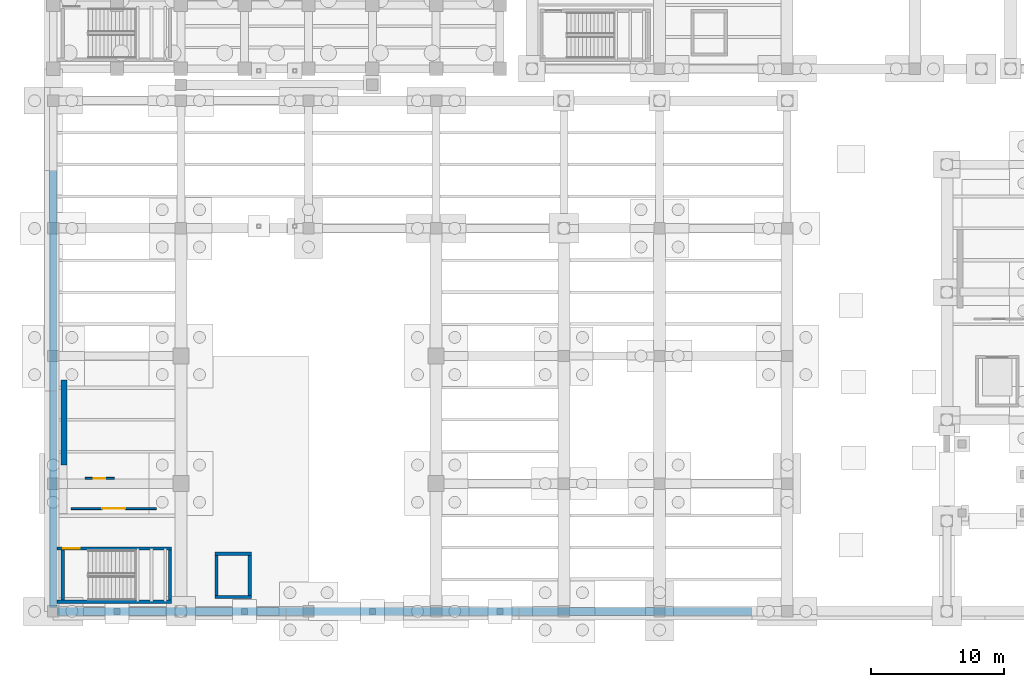
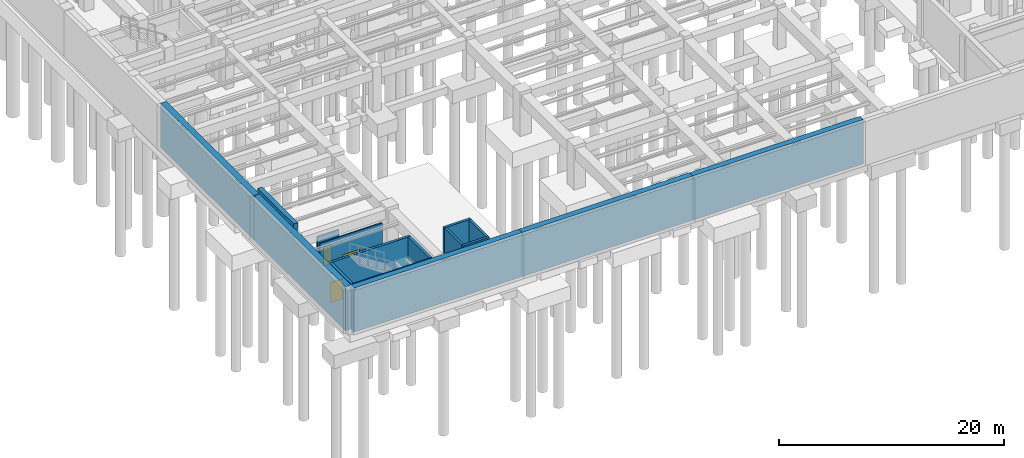
# One storey, part 33 of 56: 16 walls, 3 doors, 3 openings.
"""IFC4 building model written with IfcOpenShell, lengths in metres."""

import ifcopenshell
import ifcopenshell.guid

model = None  # the IFC model being written
_history = None  # IfcOwnerHistory: only IFC2X3 demands one
_inside = {}  # id of a spatial element -> (the spatial element, [elements in it])
_under = {}  # id of a project, library or spatial element -> (it, [spatial elements below it])
_declared = {}  # id of a project -> (the project, [libraries it declares])
_typed = {}  # id of a type object -> (the type object, [elements of that type])
_made_of = {}  # id of a material, layer set ... -> (it, [elements and type objects made of it])


def new_model(schema):
    """Start an empty IFC model of exactly this schema.

    Asked for "IFC4X3", IfcOpenShell would pick the latest addendum, in which some entities
    have other attributes; the version numbers below select the first issue.
    IFC2X3 requires an IfcOwnerHistory on every rooted entity: one is made here for all.
    """
    global model, _history
    if schema == "IFC4X3":
        model = ifcopenshell.file(schema_version=(4, 3, 0, 0))
    else:
        model = ifcopenshell.file(schema=schema)
    _inside.clear()
    _under.clear()
    _declared.clear()
    _typed.clear()
    _made_of.clear()
    _history = None
    if model.schema == "IFC2X3":
        org = make("IfcOrganization", Name="unknown")
        user = make(
            "IfcPersonAndOrganization",
            ThePerson=make("IfcPerson", FamilyName="unknown"),
            TheOrganization=org,
        )
        app = make(
            "IfcApplication",
            ApplicationDeveloper=org,
            Version="unknown",
            ApplicationFullName="unknown",
            ApplicationIdentifier="unknown",
        )
        _history = make(
            "IfcOwnerHistory",
            OwningUser=user,
            OwningApplication=app,
            ChangeAction="ADDED",
            CreationDate=0,
        )
    return model


def make(cls, **values):
    """One entity of the class cls with the attributes given. An attribute that is None is left unset."""
    return model.create_entity(
        cls, **{name: value for name, value in values.items() if value is not None}
    )


def rooted(cls, **values):
    """An entity with a GlobalId (a new one), such as an element, a storey or a relation."""
    return make(cls, GlobalId=ifcopenshell.guid.new(), OwnerHistory=_history, **values)


def si_unit(unit_type, name, prefix=None):
    """IfcSIUnit, for example si_unit("LENGTHUNIT", "METRE", prefix="MILLI")."""
    return make("IfcSIUnit", UnitType=unit_type, Prefix=prefix, Name=name)


def assignment(units):
    """IfcUnitAssignment: the units of a project."""
    return None if units is None else make("IfcUnitAssignment", Units=units)


def point(xyz):
    """IfcCartesianPoint."""
    return None if xyz is None else make("IfcCartesianPoint", Coordinates=xyz)


def direction(xyz):
    """IfcDirection."""
    return None if xyz is None else make("IfcDirection", DirectionRatios=xyz)


def frame(location, z_axis=None, x_axis=None):
    """IfcAxis2Placement3D, a coordinate frame: its origin and axes. An axis left out is left unset."""
    return make(
        "IfcAxis2Placement3D",
        Location=point(location),
        Axis=direction(z_axis),
        RefDirection=direction(x_axis),
    )


def frame_2d(location, x_axis=None):
    """IfcAxis2Placement2D, a coordinate frame in the plane: its origin and x axis."""
    return make(
        "IfcAxis2Placement2D", Location=point(location), RefDirection=direction(x_axis)
    )


def origin():
    """The frame at (0, 0, 0) with its axes left unset."""
    return frame((0.0, 0.0, 0.0))


def place(relative_to, where):
    """IfcLocalPlacement: puts the frame where relative to a parent placement (None: the world)."""
    return make(
        "IfcLocalPlacement", PlacementRelTo=relative_to, RelativePlacement=where
    )


def context(
    kind, dimensions, precision=None, world=None, true_north=None, identifier=None
):
    """IfcGeometricRepresentationContext, for example the 3D "Model" context."""
    return make(
        "IfcGeometricRepresentationContext",
        ContextIdentifier=identifier,
        ContextType=kind,
        CoordinateSpaceDimension=dimensions,
        Precision=precision,
        WorldCoordinateSystem=world,
        TrueNorth=true_north,
    )


def subcontext(parent, identifier, kind, view, scale=None):
    """IfcGeometricRepresentationSubContext, for example "Body" below "Model"."""
    return make(
        "IfcGeometricRepresentationSubContext",
        ContextIdentifier=identifier,
        ContextType=kind,
        ParentContext=parent,
        TargetScale=scale,
        TargetView=view,
    )


def project(units=None, contexts=None):
    """IfcProject with its units and contexts."""
    return rooted(
        "IfcProject",
        Name="project",
        RepresentationContexts=contexts,
        UnitsInContext=assignment(units),
    )


def spatial(cls, under=None, at=None, **own):
    """A site, building, storey or space (cls), placed at a placement, below another one or the project."""
    s = rooted(cls, ObjectPlacement=at, **own)
    if under is not None:
        _under.setdefault(under.id(), (under, []))[1].append(s)
    return s


def profile(cls, at=None, kind="AREA", **sizes):
    """A parametric profile (cls). Its sizes go by their IFC names, for example OverallWidth=200.0."""
    return make(cls, ProfileType=kind, Position=at, **sizes)


def rectangle(**sizes):
    """IfcRectangleProfileDef."""
    return profile("IfcRectangleProfileDef", **sizes)


def extrude(swept, where, along, depth):
    """IfcExtrudedAreaSolid: the profile swept, set in the frame where, extruded along a direction by depth."""
    return make(
        "IfcExtrudedAreaSolid",
        SweptArea=swept,
        Position=where,
        ExtrudedDirection=direction(along),
        Depth=depth,
    )


def shape(context_of_items, identifier, shape_type, items):
    """IfcShapeRepresentation: the items that make up one representation, for example the "Body"."""
    return make(
        "IfcShapeRepresentation",
        ContextOfItems=context_of_items,
        RepresentationIdentifier=identifier,
        RepresentationType=shape_type,
        Items=items,
    )


def material(Name=None, Category=None):
    """IfcMaterial."""
    return make("IfcMaterial", Name=Name, Category=Category)


def layer(
    of_material, thickness, ventilated=None, Name=None, Category=None, Priority=None
):
    """IfcMaterialLayer: one layer of a wall or slab, of a material (None: an air gap)."""
    return make(
        "IfcMaterialLayer",
        Material=of_material,
        LayerThickness=thickness,
        IsVentilated=ventilated,
        Name=Name,
        Category=Category,
        Priority=Priority,
    )


def layer_set(layers, Name=None):
    """IfcMaterialLayerSet."""
    return make("IfcMaterialLayerSet", MaterialLayers=layers, LayerSetName=Name)


def made_of(thing, what):
    """Note that an element or type object is made of a material, layer set ...; save() writes the relation."""
    if what is not None:
        _made_of.setdefault(what.id(), (what, []))[1].append(thing)
    return thing


def type_object(cls, material=None, **own):
    """A type object (cls), such as IfcWallType, which elements share."""
    return made_of(rooted(cls, **own), material)


def element(
    cls,
    number,
    at=None,
    inside=None,
    cuts=None,
    type_object=None,
    material=None,
    context=None,
    identifier="Body",
    shape_type=None,
    held_by="IfcProductDefinitionShape",
    body=None,
    shapes=None,
    **own,
):
    """One element of the class cls, such as IfcWall. Its Tag is "e" and its number.

    at: its placement. inside: the storey or other place that contains it. cuts: it is an
    opening in that element (IfcRelVoidsElement). A single representation is given by context,
    identifier, shape_type and body (its items); several are given by shapes. held_by: the class
    of the entity that holds the representations. save() writes the other relations.
    """
    e = rooted(cls, Tag="e%d" % number, ObjectPlacement=at, **own)
    if body is not None:
        shapes = [shape(context, identifier, shape_type, body)]
    if shapes is not None:
        e.Representation = make(held_by, Representations=shapes)
    if inside is not None:
        _inside.setdefault(inside.id(), (inside, []))[1].append(e)
    if cuts is not None:
        rooted(
            "IfcRelVoidsElement", RelatingBuildingElement=cuts, RelatedOpeningElement=e
        )
    if type_object is not None:
        _typed.setdefault(type_object.id(), (type_object, []))[1].append(e)
    return made_of(e, material)


def fill(opening, filler):
    """IfcRelFillsElement: the door or window that sits in an opening."""
    return rooted(
        "IfcRelFillsElement",
        RelatingOpeningElement=opening,
        RelatedBuildingElement=filler,
    )


def aggregate(whole, parts):
    """IfcRelAggregates: a whole, such as a stair, and the parts it consists of."""
    return rooted("IfcRelAggregates", RelatingObject=whole, RelatedObjects=parts)


def save(model, path):
    """Write the relations noted so far, then the file.

    IfcRelAggregates (storeys below a building ...), IfcRelContainedInSpatialStructure (elements
    in a storey), IfcRelDefinesByType, IfcRelAssociatesMaterial and IfcRelDeclares: one each for
    every whole, place, type object, material and project.
    """
    for whole, parts in _under.values():
        aggregate(whole, parts)
    for where, things in _inside.values():
        rooted(
            "IfcRelContainedInSpatialStructure",
            RelatedElements=things,
            RelatingStructure=where,
        )
    for kind, things in _typed.values():
        rooted("IfcRelDefinesByType", RelatedObjects=things, RelatingType=kind)
    for what, things in _made_of.values():
        rooted("IfcRelAssociatesMaterial", RelatedObjects=things, RelatingMaterial=what)
    for by, libraries in _declared.values():
        rooted("IfcRelDeclares", RelatingContext=by, RelatedDefinitions=libraries)
    model.write(path)


model = new_model("IFC4")

# Units and contexts
model_context = context("Model", 3, precision=1e-05, world=origin(), true_north=direction((0.0, 1.0)))
body_context = subcontext(model_context, "Body", "Model", "MODEL_VIEW")
ifc_project = project(units=[si_unit("LENGTHUNIT", "METRE"), si_unit("AREAUNIT", "SQUARE_METRE"), si_unit("VOLUMEUNIT", "CUBIC_METRE"), si_unit("PLANEANGLEUNIT", "RADIAN"), si_unit("MASSUNIT", "GRAM", prefix="KILO")], contexts=[model_context])

# Site, building, storey
site_placement = place(None, origin())
site = spatial("IfcSite", under=ifc_project, at=site_placement, CompositionType="ELEMENT")
building_placement = place(site_placement, origin())
building = spatial("IfcBuilding", under=site, at=building_placement, Name="Mavantir Sound Aquarium", CompositionType="ELEMENT")
storey_placement = place(building_placement, frame((0.0, 0.0, -9.60009765625)))
storey = spatial("IfcBuildingStorey", under=building, at=storey_placement, Name="B2", CompositionType="ELEMENT", Elevation=-9.60009765625)

# Wall, opening, door
ifc_material_1 = material(Name="Moisture-Resistant Marine Gypsum Partition", Category="gypsum")
ifc_layer_1 = layer(ifc_material_1, 0.139892578125, Name="Moisture-Resistant Marine Gypsum Partition")
ifc_layer_set_1 = layer_set([ifc_layer_1], Name="Moisture-Resistant Marine Gypsum Partition")
wall_type_1 = type_object("IfcWallType", Name="IW-PART-140", PredefinedType="PARTITIONING", material=ifc_layer_set_1)
wall_1_placement = place(storey_placement, frame((1.35009765625, 7.72509765625, 0.0), z_axis=(0.0, 0.0, 1.0), x_axis=(1.0, 0.0, 0.0)))
wall_1 = element("IfcWall", 1, at=wall_1_placement, inside=storey, type_object=wall_type_1, Name="B2 Education Centre Substructure Mechanical Vault entry partition", PredefinedType="PARTITIONING", context=body_context, shape_type="SweptSolid", body=[
    extrude(rectangle(XDim=6.39990234375, YDim=0.139892578125, at=frame_2d((3.199951171875, 0.0))), origin(), (0.0, 0.0, 1.0), 4.440185546875),
])
opening_1_placement = place(wall_1_placement, frame((2.340087890625, 0.0, 0.0)))
opening_1 = element("IfcOpeningElement", 2, at=opening_1_placement, cuts=wall_1, Name="Opening ID-16", PredefinedType="OPENING", context=body_context, shape_type="SweptSolid", body=[
    extrude(rectangle(XDim=1.719970703125, YDim=2.3798828125, at=frame_2d((0.85986328125, 1.18994140625))), frame((0.0, 0.080078125, 0.0), z_axis=(0.0, -1.0, 0.0), x_axis=(1.0, 0.0, 0.0)), (0.0, 0.0, 1.0), 0.159912109375),
])
ifc_material_2 = material(Name="Solid-Core Marine Hardwood and Vision-Panel Door", Category="wood")
door_type_1 = type_object("IfcDoorType", Name="DR-INT-16", OperationType="NOTDEFINED", PredefinedType="DOOR", material=ifc_material_2)
door_1_placement = place(opening_1_placement, origin())
door_1 = element("IfcDoor", 3, at=door_1_placement, inside=storey, type_object=door_type_1, Name="Education Centre Substructure Mechanical Vault door", OperationType="SINGLE_SWING_RIGHT", OverallHeight=2.3798828125, OverallWidth=1.719970703125, PredefinedType="DOOR", context=body_context, shape_type="SweptSolid", body=[
    extrude(rectangle(XDim=1.719970703125, YDim=2.3798828125, at=frame_2d((0.85986328125, 1.18994140625))), frame((0.0, 0.02490234375, 0.0), z_axis=(0.0, -1.0, 0.0), x_axis=(1.0, 0.0, 0.0)), (0.0, 0.0, 1.0), 0.050048828125),
])
fill(opening_1, door_1)

wall_2_placement = place(storey_placement, frame((2.39990234375, 10.0, 0.0), z_axis=(0.0, 0.0, 1.0), x_axis=(1.0, 0.0, 0.0)))
wall_2 = element("IfcWall", 4, at=wall_2_placement, inside=storey, type_object=wall_type_1, Name="B2 service riser enclosure 2", PredefinedType="PARTITIONING", context=body_context, shape_type="SweptSolid", body=[
    extrude(rectangle(XDim=2.2001953125, YDim=0.139892578125, at=frame_2d((1.10009765625, 0.0))), origin(), (0.0, 0.0, 1.0), 3.416015625),
])
opening_2_placement = place(wall_2_placement, frame((0.64990234375, 0.0, 0.0)))
opening_2 = element("IfcOpeningElement", 5, at=opening_2_placement, cuts=wall_2, Name="Opening TD-01", PredefinedType="OPENING", context=body_context, shape_type="SweptSolid", body=[
    extrude(rectangle(XDim=0.85009765625, YDim=2.050048828125, at=frame_2d((0.425048828125, 1.02490234375))), frame((0.0, 0.080078125, 0.0), z_axis=(0.0, -1.0, 0.0), x_axis=(1.0, 0.0, 0.0)), (0.0, 0.0, 1.0), 0.159912109375),
])
ifc_material_3 = material(Name="Powder-Coated Steel Riser Access Door", Category="steel")
door_type_2 = type_object("IfcDoorType", Name="DR-TRAP-85", OperationType="NOTDEFINED", PredefinedType="TRAPDOOR", material=ifc_material_3)
door_2_placement = place(opening_2_placement, origin())
door_2 = element("IfcDoor", 6, at=door_2_placement, inside=storey, type_object=door_type_2, Name="B2 riser inspection trapdoor 2", OperationType="SINGLE_SWING_LEFT", OverallHeight=2.050048828125, OverallWidth=0.85009765625, PredefinedType="TRAPDOOR", context=body_context, shape_type="SweptSolid", body=[
    extrude(rectangle(XDim=0.85009765625, YDim=2.050048828125, at=frame_2d((0.425048828125, 1.02490234375))), frame((0.0, 0.02490234375, 0.0), z_axis=(0.0, -1.0, 0.0), x_axis=(1.0, 0.0, 0.0)), (0.0, 0.0, 1.0), 0.050048828125),
])
fill(opening_2, door_2)

# Wall
ifc_material_4 = material(Name="Concrete C40/50", Category="concrete")
ifc_layer_2 = layer(ifc_material_4, 0.25, Name="Concrete C40/50")
ifc_layer_set_2 = layer_set([ifc_layer_2], Name="Concrete C40/50")
wall_type_2 = type_object("IfcWallType", Name="IW-SHAFT-250", PredefinedType="SHEAR", material=ifc_layer_set_2)
wall_3_placement = place(storey_placement, frame((0.300048828125, 0.72509765625, 0.0), z_axis=(0.0, 0.0, 1.0), x_axis=(1.0, 0.0, 0.0)))
element("IfcWall", 7, at=wall_3_placement, inside=storey, type_object=wall_type_2, Name="B2 stair ST3 shaft wall S", PredefinedType="SHEAR", context=body_context, shape_type="SweptSolid", body=[
    extrude(rectangle(XDim=8.599853515625, YDim=0.25, at=frame_2d((4.2998046875, 0.0))), origin(), (0.0, 0.0, 1.0), 4.4501953125),
])

# Wall, opening, door
wall_4_placement = place(storey_placement, frame((8.89990234375, 4.72509765625, 0.0), z_axis=(0.0, 0.0, 1.0), x_axis=(-1.0, 0.0, 0.0)))
wall_4 = element("IfcWall", 8, at=wall_4_placement, inside=storey, type_object=wall_type_2, Name="B2 stair ST3 shaft wall N", PredefinedType="SHEAR", context=body_context, shape_type="SweptSolid", body=[
    extrude(rectangle(XDim=8.599853515625, YDim=0.25, at=frame_2d((4.2998046875, 0.0))), origin(), (0.0, 0.0, 1.0), 4.4501953125),
])
opening_3_placement = place(wall_4_placement, frame((8.14990234375, 0.0, 0.0), z_axis=(0.0, 0.0, 1.0), x_axis=(-1.0, 0.0, 0.0)))
opening_3 = element("IfcOpeningElement", 9, at=opening_3_placement, cuts=wall_4, Name="Opening SD-01", PredefinedType="OPENING", context=body_context, shape_type="SweptSolid", body=[
    extrude(rectangle(XDim=1.25, YDim=2.199951171875, at=frame_2d((0.625, 1.10009765625))), frame((0.0, 0.135009765625, 0.0), z_axis=(0.0, -1.0, 0.0), x_axis=(1.0, 0.0, 0.0)), (0.0, 0.0, 1.0), 0.27001953125),
])
ifc_material_5 = material(Name="Fire-Rated Steel Acoustic Door Leaf", Category="steel")
door_type_3 = type_object("IfcDoorType", Name="DR-ST-125", OperationType="NOTDEFINED", PredefinedType="DOOR", material=ifc_material_5)
door_3_placement = place(opening_3_placement, origin())
door_3 = element("IfcDoor", 10, at=door_3_placement, inside=storey, type_object=door_type_3, Name="B2 protected exit stair ST3 door", OperationType="SINGLE_SWING_LEFT", OverallHeight=2.199951171875, OverallWidth=1.25, PredefinedType="DOOR", context=body_context, shape_type="SweptSolid", body=[
    extrude(rectangle(XDim=1.25, YDim=2.199951171875, at=frame_2d((0.625, 1.10009765625))), frame((0.0, 0.02490234375, 0.0), z_axis=(0.0, -1.0, 0.0), x_axis=(1.0, 0.0, 0.0)), (0.0, 0.0, 1.0), 0.050048828125),
])
fill(opening_3, door_3)

# Walls
for number, where, z_axis, x_axis, name in (
    (11, (0.72509765625, 4.60009765625, 0.0), (0.0, 0.0, 1.0), (0.0, -1.0, 0.0), "B2 stair ST3 shaft wall W"),
    (12, (8.77490234375, 0.85009765625, 0.0), (0.0, 0.0, 1.0), (0.0, 1.0, 0.0), "B2 stair ST3 shaft wall E"),
):
    element("IfcWall", number, at=place(storey_placement, frame(where, z_axis=z_axis, x_axis=x_axis)), inside=storey, type_object=wall_type_2, Name=name, PredefinedType="SHEAR", context=body_context, shape_type="SweptSolid", body=[
        extrude(rectangle(XDim=3.75, YDim=0.25, at=frame_2d((1.875, 0.0))), origin(), (0.0, 0.0, 1.0), 4.4501953125),
    ])
for number, where, z_axis, x_axis, name in (
    (13, (12.14990234375, 1.074951171875, 0.0), (0.0, 0.0, 1.0), (1.0, 0.0, 0.0), "B2 lift LC3 shaft wall S"),
    (14, (12.14990234375, 4.324951171875, 0.0), (0.0, 0.0, 1.0), (1.0, 0.0, 0.0), "B2 lift LC3 shaft wall N"),
):
    element("IfcWall", number, at=place(storey_placement, frame(where, z_axis=z_axis, x_axis=x_axis)), inside=storey, type_object=wall_type_2, Name=name, PredefinedType="SHEAR", context=body_context, shape_type="SweptSolid", body=[
        extrude(rectangle(XDim=2.75, YDim=0.25, at=frame_2d((1.375, 0.0))), origin(), (0.0, 0.0, 1.0), 4.4501953125),
    ])
for number, where, z_axis, x_axis, name in (
    (15, (12.27490234375, 1.199951171875, 0.0), (0.0, 0.0, 1.0), (0.0, 1.0, 0.0), "B2 lift LC3 shaft wall W"),
    (16, (14.77490234375, 1.199951171875, 0.0), (0.0, 0.0, 1.0), (0.0, 1.0, 0.0), "B2 lift LC3 shaft wall E"),
):
    element("IfcWall", number, at=place(storey_placement, frame(where, z_axis=z_axis, x_axis=x_axis)), inside=storey, type_object=wall_type_2, Name=name, PredefinedType="SHEAR", context=body_context, shape_type="SweptSolid", body=[
        extrude(rectangle(XDim=3.0, YDim=0.25, at=frame_2d((1.5, 0.0))), origin(), (0.0, 0.0, 1.0), 4.4501953125),
    ])
ifc_material_6 = material(Name="Concrete C45/55", Category="concrete")
ifc_layer_3 = layer(ifc_material_6, 0.60009765625, Name="Concrete C45/55")
ifc_layer_set_3 = layer_set([ifc_layer_3], Name="Concrete C45/55")
wall_type_3 = type_object("IfcWallType", Name="SW-RET-600", PredefinedType="USERDEFINED", material=ifc_layer_set_3)
wall_5_placement = place(storey_placement, frame((0.0, 0.280029296875, 0.0), z_axis=(0.0, 0.0, 1.0), x_axis=(0.0, 1.0, 0.0)))
element("IfcWall", 17, at=wall_5_placement, inside=storey, type_object=wall_type_3, Name="B2 perimeter plinth retaining wall 1", ObjectType="RETAINING WALL", PredefinedType="USERDEFINED", context=body_context, shape_type="SweptSolid", body=[
    extrude(rectangle(XDim=16.291015625, YDim=0.60009765625, at=frame_2d((8.1455078125, 0.0))), origin(), (0.0, 0.0, 1.0), 4.800048828125),
])
wall_6_placement = place(storey_placement, frame((0.0, 16.571044921875, 0.0), z_axis=(0.0, 0.0, 1.0), x_axis=(0.0, 1.0, 0.0)))
element("IfcWall", 18, at=wall_6_placement, inside=storey, type_object=wall_type_3, Name="B2 perimeter plinth retaining wall 3", ObjectType="RETAINING WALL", PredefinedType="USERDEFINED", context=body_context, shape_type="SweptSolid", body=[
    extrude(rectangle(XDim=16.572021484375, YDim=0.60009765625, at=frame_2d((8.2861328125, 0.0))), origin(), (0.0, 0.0, 1.0), 4.800048828125),
])
for number, where, z_axis, x_axis, name in (
    (19, (52.56005859375, 0.0, 0.0), (0.0, 0.0, 1.0), (-1.0, 0.0, 0.0), "B2 perimeter plinth retaining wall 99"),
    (20, (35.0400390625, 0.0, 0.0), (0.0, 0.0, 1.0), (-1.0, 0.0, 0.0), "B2 perimeter plinth retaining wall 101"),
):
    element("IfcWall", number, at=place(storey_placement, frame(where, z_axis=z_axis, x_axis=x_axis)), inside=storey, type_object=wall_type_3, Name=name, ObjectType="RETAINING WALL", PredefinedType="USERDEFINED", context=body_context, shape_type="SweptSolid", body=[
        extrude(rectangle(XDim=17.52001953125, YDim=0.60009765625, at=frame_2d((8.760009765625, 0.0))), origin(), (0.0, 0.0, 1.0), 4.800048828125),
    ])
wall_7_placement = place(storey_placement, frame((17.52001953125, 0.0, 0.0), z_axis=(0.0, 0.0, 1.0), x_axis=(-1.0, 0.0, 0.0)))
element("IfcWall", 21, at=wall_7_placement, inside=storey, type_object=wall_type_3, Name="B2 perimeter plinth retaining wall 103", ObjectType="RETAINING WALL", PredefinedType="USERDEFINED", context=body_context, shape_type="SweptSolid", body=[
    extrude(rectangle(XDim=17.239990234375, YDim=0.60009765625, at=frame_2d((8.6201171875, 0.0))), origin(), (0.0, 0.0, 1.0), 4.800048828125),
])
ifc_layer_4 = layer(ifc_material_4, 0.449951171875, Name="Concrete C40/50")
ifc_layer_set_4 = layer_set([ifc_layer_4], Name="Concrete C40/50")
wall_type_4 = type_object("IfcWallType", Name="SW-SHR-450", PredefinedType="SHEAR", material=ifc_layer_set_4)
wall_8_placement = place(storey_placement, frame((0.800048828125, 11.0, 0.0), z_axis=(0.0, 0.0, 1.0), x_axis=(0.0, 1.0, 0.0)))
element("IfcWall", 22, at=wall_8_placement, inside=storey, type_object=wall_type_4, Name="B2 special RC shear wall 18 (V3)", PredefinedType="SHEAR", context=body_context, shape_type="SweptSolid", body=[
    extrude(rectangle(XDim=6.39990234375, YDim=0.449951171875, at=frame_2d((3.199951171875, 0.0))), origin(), (0.0, 0.0, 1.0), 4.800048828125),
])

save(model, "model.ifc")
